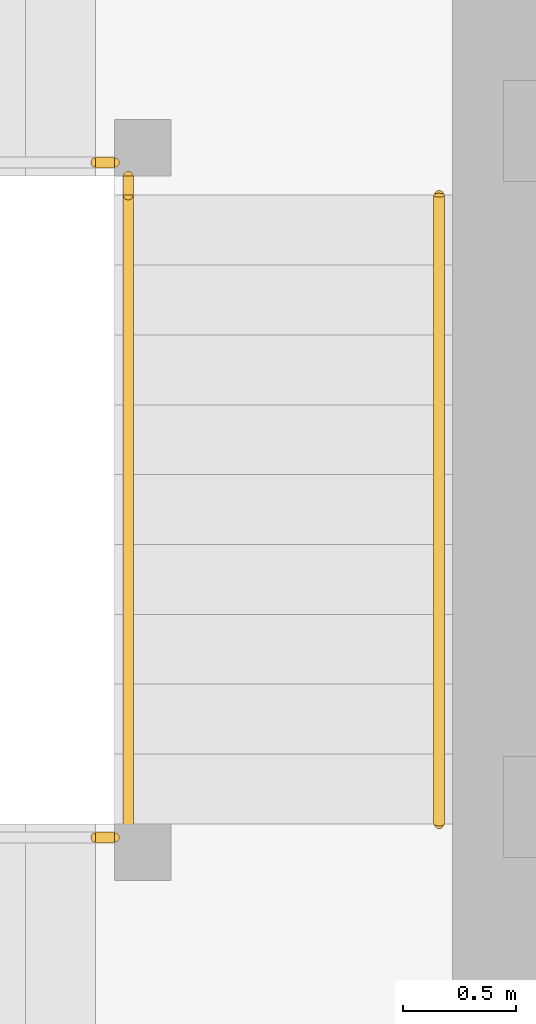
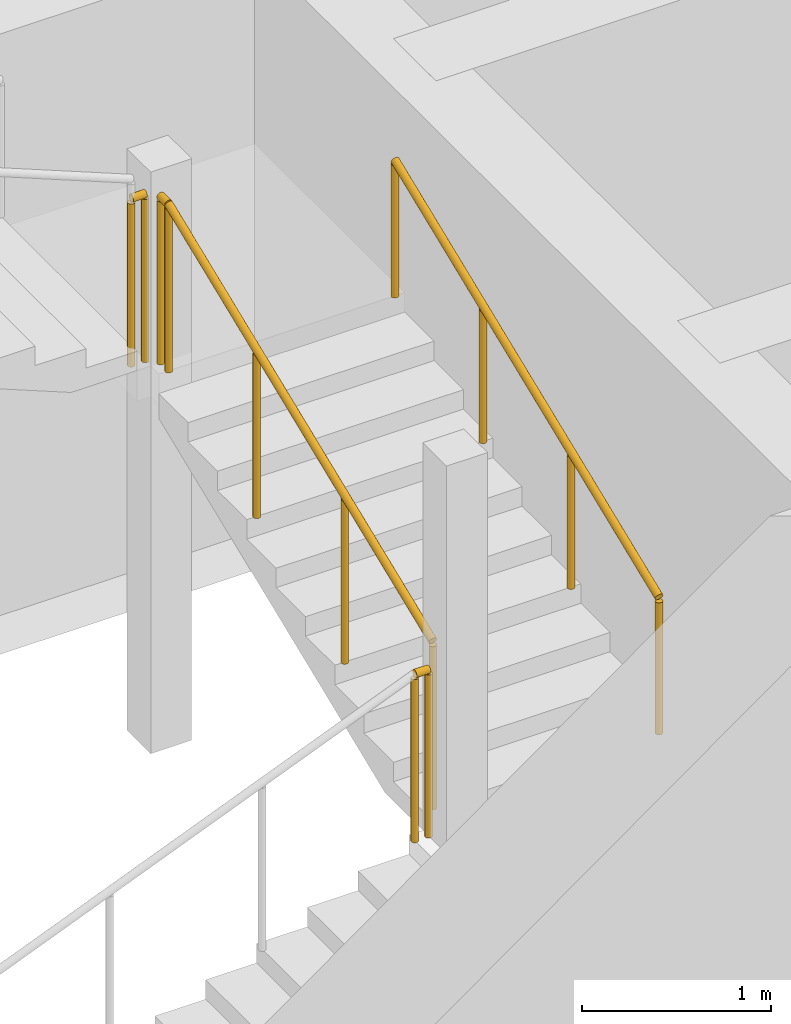
# One storey, part 36 of 40: 5 railings.
"""IFC4 building model written with IfcOpenShell, lengths in metres."""

from ifc_helpers import new_model, si_unit, direction, frame, origin, origin_2d, place, context, subcontext, project, spatial, circle, extrude, material, type_object, element, save


model = new_model("IFC4")

# Units and contexts
model_context = context("Model", 3, precision=1e-05, world=origin(), true_north=direction((0.0, 1.0)))
body_context = subcontext(model_context, "Body", "Model", "MODEL_VIEW")
ifc_project = project(units=[si_unit("LENGTHUNIT", "METRE"), si_unit("AREAUNIT", "SQUARE_METRE"), si_unit("VOLUMEUNIT", "CUBIC_METRE"), si_unit("PLANEANGLEUNIT", "RADIAN"), si_unit("MASSUNIT", "GRAM", prefix="KILO")], contexts=[model_context])

# Site, building, storey
site_placement = place(None, origin())
site = spatial("IfcSite", under=ifc_project, at=site_placement, CompositionType="ELEMENT")
building_placement = place(site_placement, origin())
building = spatial("IfcBuilding", under=site, at=building_placement, Name="Rekha Terrace Tower", CompositionType="ELEMENT")
storey_placement = place(building_placement, frame((0.0, 0.0, 125.300048828125)))
storey = spatial("IfcBuildingStorey", under=building, at=storey_placement, Name="L31", CompositionType="ELEMENT", Elevation=125.300048828125)

# Railings
ifc_material_1 = material(Name="Stainless steel balustrade", Category="steel")
railing_type_1 = type_object("IfcRailingType", Name="GR1 1100 stair guard", PredefinedType="GUARDRAIL", material=ifc_material_1)
railing_1_placement = place(storey_placement, frame((30.135009765625, 41.324951171875, 1.375)))
element("IfcRailing", 1, at=railing_1_placement, inside=storey, type_object=railing_type_1, Name="Guard ST4 L31 flight 2", PredefinedType="GUARDRAIL", context=body_context, shape_type="SweptSolid", body=[
    extrude(circle(Radius=0.02392578125, at=origin_2d()), frame((0.0, 0.0, 1.076171875), z_axis=(0.0, 0.927443287984, 0.373963831907), x_axis=(-1.0, 0.0, 0.0)), (0.0, 0.0, 1.0), 3.00830078125),
    extrude(circle(Radius=0.02099609375, at=origin_2d()), origin(), (0.0, 0.0, 1.0), 1.052001953125),
    extrude(circle(Radius=0.02099609375, at=origin_2d()), frame((0.0, 0.929931640625, 0.375)), (0.0, 0.0, 1.0), 1.052001953125),
    extrude(circle(Radius=0.02099609375, at=origin_2d()), frame((0.0, 1.860107421875, 0.75)), (0.0, 0.0, 1.0), 1.052001953125),
    extrude(circle(Radius=0.02099609375, at=origin_2d()), frame((0.0, 2.7900390625, 1.125)), (0.0, 0.0, 1.0), 1.052001953125),
])
railing_2_placement = place(storey_placement, frame((29.989990234375, 41.264892578125, 1.25)))
element("IfcRailing", 2, at=railing_2_placement, inside=storey, type_object=railing_type_1, Name="Guard ST4 L31 landing 1", PredefinedType="GUARDRAIL", context=body_context, shape_type="SweptSolid", body=[
    extrude(circle(Radius=0.02392578125, at=origin_2d()), frame((0.0, 0.0, 1.076171875), z_axis=(1.0, 0.0, 0.0), x_axis=(0.0, 1.0, 0.0)), (0.0, 0.0, 1.0), 0.0849609375),
    extrude(circle(Radius=0.02099609375, at=origin_2d()), origin(), (0.0, 0.0, 1.0), 1.052001953125),
    extrude(circle(Radius=0.02099609375, at=origin_2d()), frame((0.0849609375, 0.0, 0.0)), (0.0, 0.0, 1.0), 1.052001953125),
])
railing_3_placement = place(storey_placement, frame((30.135009765625, 44.114990234375, 2.5)))
element("IfcRailing", 3, at=railing_3_placement, inside=storey, type_object=railing_type_1, Name="Guard ST4 L31 landing 2", PredefinedType="GUARDRAIL", context=body_context, shape_type="SweptSolid", body=[
    extrude(circle(Radius=0.02392578125, at=origin_2d()), frame((0.0, 0.0, 1.076171875), z_axis=(0.0, 1.0, 0.0), x_axis=(-1.0, 0.0, 0.0)), (0.0, 0.0, 1.0), 0.0849609375),
    extrude(circle(Radius=0.02099609375, at=origin_2d()), origin(), (0.0, 0.0, 1.0), 1.052001953125),
    extrude(circle(Radius=0.02099609375, at=origin_2d()), frame((0.0, 0.0849609375, 0.0)), (0.0, 0.0, 1.0), 1.052001953125),
])
railing_4_placement = place(storey_placement, frame((29.989990234375, 44.260009765625, 2.5)))
element("IfcRailing", 4, at=railing_4_placement, inside=storey, type_object=railing_type_1, Name="Guard ST4 L31 landing 3", PredefinedType="GUARDRAIL", context=body_context, shape_type="SweptSolid", body=[
    extrude(circle(Radius=0.02392578125, at=origin_2d()), frame((0.0, 0.0, 1.076171875), z_axis=(1.0, 0.0, 0.0), x_axis=(0.0, 1.0, 0.0)), (0.0, 0.0, 1.0), 0.0849609375),
    extrude(circle(Radius=0.02099609375, at=origin_2d()), origin(), (0.0, 0.0, 1.0), 1.052001953125),
    extrude(circle(Radius=0.02099609375, at=origin_2d()), frame((0.0849609375, 0.0, 0.0)), (0.0, 0.0, 1.0), 1.052001953125),
])
ifc_material_2 = material(Name="Stainless steel tube", Category="steel")
railing_type_2 = type_object("IfcRailingType", Name="HR1 900 stair handrail", PredefinedType="HANDRAIL", material=ifc_material_2)
railing_5_placement = place(storey_placement, frame((31.514892578125, 41.324951171875, 1.375)))
element("IfcRailing", 5, at=railing_5_placement, inside=storey, type_object=railing_type_2, Name="Handrail ST4 L31 flight 2", PredefinedType="HANDRAIL", context=body_context, shape_type="SweptSolid", body=[
    extrude(circle(Radius=0.02392578125, at=origin_2d()), frame((0.0, 0.0, 0.8759765625), z_axis=(0.0, 0.927443287984, 0.373963831907), x_axis=(-1.0, 0.0, 0.0)), (0.0, 0.0, 1.0), 3.00830078125),
    extrude(circle(Radius=0.02099609375, at=origin_2d()), origin(), (0.0, 0.0, 1.0), 0.851806640625),
    extrude(circle(Radius=0.02099609375, at=origin_2d()), frame((0.0, 0.929931640625, 0.375)), (0.0, 0.0, 1.0), 0.851806640625),
    extrude(circle(Radius=0.02099609375, at=origin_2d()), frame((0.0, 1.860107421875, 0.75)), (0.0, 0.0, 1.0), 0.851806640625),
    extrude(circle(Radius=0.02099609375, at=origin_2d()), frame((0.0, 2.7900390625, 1.125)), (0.0, 0.0, 1.0), 0.851806640625),
])

save(model, "model.ifc")
